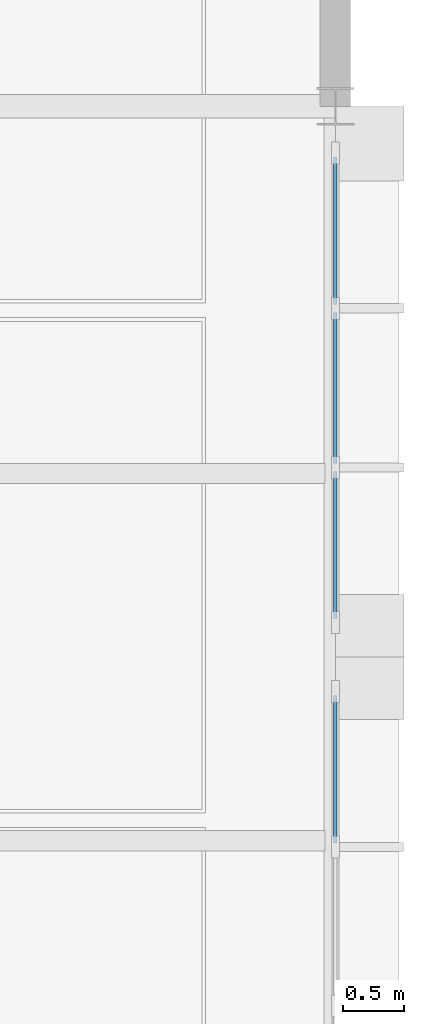
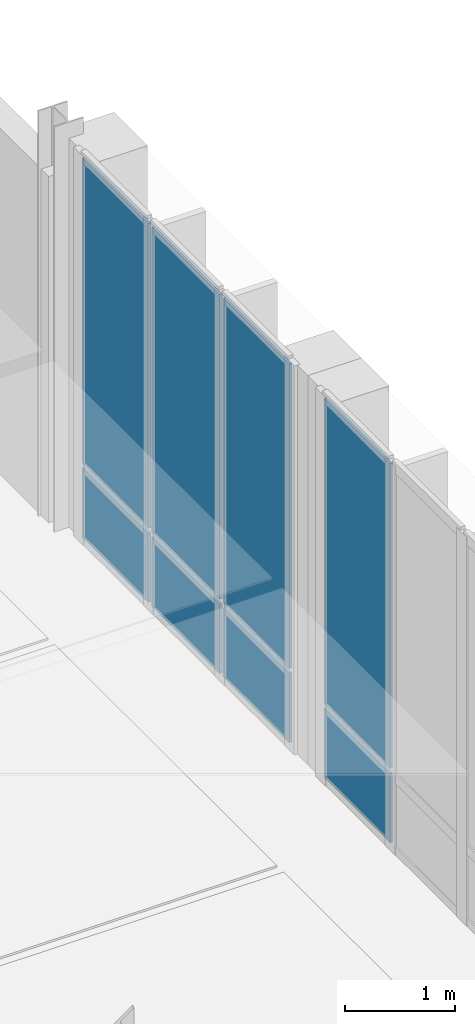
# One storey, part 62 of 130: 8 plates, 2 elements without a shape of their own.
"""IFC4 building model written with IfcOpenShell, lengths in metres."""

from ifc_helpers import new_model, si_unit, direction, frame, origin, origin_2d, place, context, subcontext, project, spatial, rectangle, extrude, material, layer, layer_set, type_object, element, aggregate, save


model = new_model("IFC4")

# Units and contexts
model_context = context("Model", 3, precision=1e-05, world=origin(), true_north=direction((0.0, 1.0)))
body_context = subcontext(model_context, "Body", "Model", "MODEL_VIEW")
ifc_project = project(units=[si_unit("LENGTHUNIT", "METRE"), si_unit("AREAUNIT", "SQUARE_METRE"), si_unit("VOLUMEUNIT", "CUBIC_METRE"), si_unit("PLANEANGLEUNIT", "RADIAN"), si_unit("MASSUNIT", "GRAM", prefix="KILO"), si_unit("THERMODYNAMICTEMPERATUREUNIT", "KELVIN"), si_unit("POWERUNIT", "WATT")], contexts=[model_context])

# Site, building, storey
site_placement = place(None, origin())
site = spatial("IfcSite", under=ifc_project, at=site_placement, CompositionType="ELEMENT")
building_placement = place(site_placement, origin())
building = spatial("IfcBuilding", under=site, at=building_placement, Name="Tallowbark Science Centre", CompositionType="ELEMENT")
storey_placement = place(building_placement, frame((0.0, 0.0, 5.39990234375)))
storey = spatial("IfcBuildingStorey", under=building, at=storey_placement, Name="L01", CompositionType="ELEMENT", Elevation=5.39990234375)

# Curtain wall, plates
ifc_material_1 = material(Name="Unitised Thermally Broken Aluminium and Low-E Double Glazing", Category="aluminium")
curtain_wall_type = type_object("IfcCurtainWallType", Name="CW-SYS-FACADE", PredefinedType="NOTDEFINED", material=ifc_material_1)
curtain_wall_1_placement = place(storey_placement, origin())
curtain_wall_1 = element("IfcCurtainWall", 1, at=curtain_wall_1_placement, inside=storey, type_object=curtain_wall_type, Name="Unitised Curtain Wall OBS-E-99A CW-L01-136", PredefinedType="NOTDEFINED")
ifc_material_2 = material(Name="Double Glazed Argon Low-E Vision Glass", Category="glass")
ifc_layer = layer(ifc_material_2, 0.028076171875)
ifc_layer_set = layer_set([ifc_layer], Name="Double Glazed Argon Low-E Vision Glass")
plate_type = type_object("IfcPlateType", Name="CWP-GLZ-28", PredefinedType="CURTAIN_PANEL", material=ifc_layer_set)
plate_1_placement = place(storey_placement, frame((162.0, 102.583740234375, 0.05517578125), z_axis=(0.0, 0.0, 1.0), x_axis=(0.0, 1.0, 0.0)))
plate_1 = element("IfcPlate", 2, at=plate_1_placement, type_object=plate_type, Name="CW-01 panel 3.1", PredefinedType="CURTAIN_PANEL", context=body_context, shape_type="SweptSolid", body=[
    extrude(rectangle(XDim=1.202392578125, YDim=0.028076171875, at=origin_2d()), origin(), (0.0, 0.0, 1.0), 0.767578125),
])
plate_2_placement = place(storey_placement, frame((162.0, 102.583740234375, 0.87744140625), z_axis=(0.0, 0.0, 1.0), x_axis=(0.0, 1.0, 0.0)))
plate_2 = element("IfcPlate", 3, at=plate_2_placement, type_object=plate_type, Name="CW-01 panel 3.2", PredefinedType="CURTAIN_PANEL", context=body_context, shape_type="SweptSolid", body=[
    extrude(rectangle(XDim=1.202392578125, YDim=0.028076171875, at=origin_2d()), origin(), (0.0, 0.0, 1.0), 3.387451171875),
])
aggregate(curtain_wall_1, [plate_1, plate_2])

curtain_wall_2_placement = place(storey_placement, origin())
curtain_wall_2 = element("IfcCurtainWall", 4, at=curtain_wall_2_placement, inside=storey, type_object=curtain_wall_type, Name="Unitised Curtain Wall OBS-E-99B CW-L01-137", PredefinedType="NOTDEFINED")
plate_3_placement = place(storey_placement, frame((162.0, 104.416259765625, 0.05517578125), z_axis=(0.0, 0.0, 1.0), x_axis=(0.0, 1.0, 0.0)))
plate_3 = element("IfcPlate", 5, at=plate_3_placement, type_object=plate_type, Name="CW-01 panel 1.1", PredefinedType="CURTAIN_PANEL", context=body_context, shape_type="SweptSolid", body=[
    extrude(rectangle(XDim=1.202392578125, YDim=0.028076171875, at=origin_2d()), origin(), (0.0, 0.0, 1.0), 0.767578125),
])
plate_4_placement = place(storey_placement, frame((162.0, 104.416259765625, 0.87744140625), z_axis=(0.0, 0.0, 1.0), x_axis=(0.0, 1.0, 0.0)))
plate_4 = element("IfcPlate", 6, at=plate_4_placement, type_object=plate_type, Name="CW-01 panel 1.2", PredefinedType="CURTAIN_PANEL", context=body_context, shape_type="SweptSolid", body=[
    extrude(rectangle(XDim=1.202392578125, YDim=0.028076171875, at=origin_2d()), origin(), (0.0, 0.0, 1.0), 3.387451171875),
])
plate_5_placement = place(storey_placement, frame((162.0, 105.699951171875, 0.05517578125), z_axis=(0.0, 0.0, 1.0), x_axis=(0.0, 1.0, 0.0)))
plate_5 = element("IfcPlate", 7, at=plate_5_placement, type_object=plate_type, Name="CW-01 panel 2.1", PredefinedType="CURTAIN_PANEL", context=body_context, shape_type="SweptSolid", body=[
    extrude(rectangle(XDim=1.235107421875, YDim=0.028076171875, at=origin_2d()), origin(), (0.0, 0.0, 1.0), 0.767578125),
])
plate_6_placement = place(storey_placement, frame((162.0, 105.699951171875, 0.87744140625), z_axis=(0.0, 0.0, 1.0), x_axis=(0.0, 1.0, 0.0)))
plate_6 = element("IfcPlate", 8, at=plate_6_placement, type_object=plate_type, Name="CW-01 panel 2.2", PredefinedType="CURTAIN_PANEL", context=body_context, shape_type="SweptSolid", body=[
    extrude(rectangle(XDim=1.235107421875, YDim=0.028076171875, at=origin_2d()), origin(), (0.0, 0.0, 1.0), 3.387451171875),
])
plate_7_placement = place(storey_placement, frame((162.0, 106.983642578125, 0.05517578125), z_axis=(0.0, 0.0, 1.0), x_axis=(0.0, 1.0, 0.0)))
plate_7 = element("IfcPlate", 9, at=plate_7_placement, type_object=plate_type, Name="CW-01 panel 3.1", PredefinedType="CURTAIN_PANEL", context=body_context, shape_type="SweptSolid", body=[
    extrude(rectangle(XDim=1.202392578125, YDim=0.028076171875, at=origin_2d()), origin(), (0.0, 0.0, 1.0), 0.767578125),
])
plate_8_placement = place(storey_placement, frame((162.0, 106.983642578125, 0.87744140625), z_axis=(0.0, 0.0, 1.0), x_axis=(0.0, 1.0, 0.0)))
plate_8 = element("IfcPlate", 10, at=plate_8_placement, type_object=plate_type, Name="CW-01 panel 3.2", PredefinedType="CURTAIN_PANEL", context=body_context, shape_type="SweptSolid", body=[
    extrude(rectangle(XDim=1.202392578125, YDim=0.028076171875, at=origin_2d()), origin(), (0.0, 0.0, 1.0), 3.387451171875),
])
aggregate(curtain_wall_2, [plate_3, plate_4, plate_5, plate_6, plate_7, plate_8])

save(model, "model.ifc")
